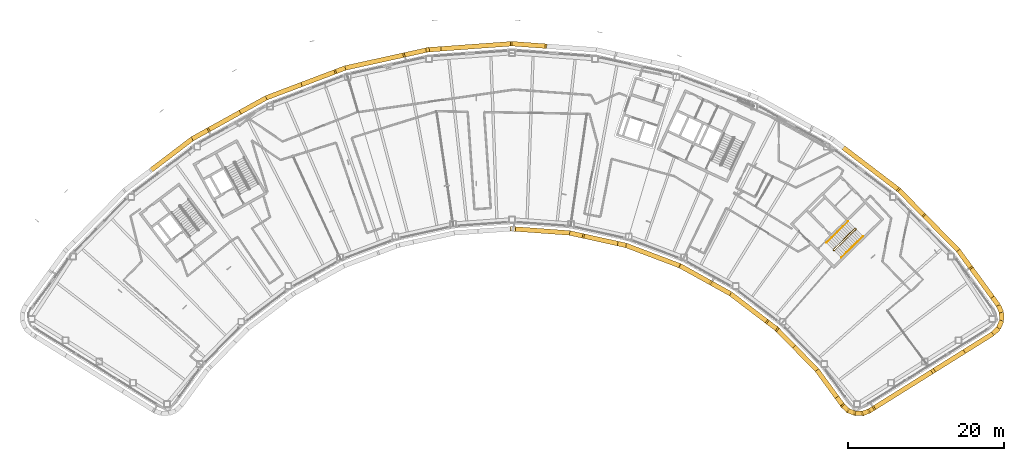
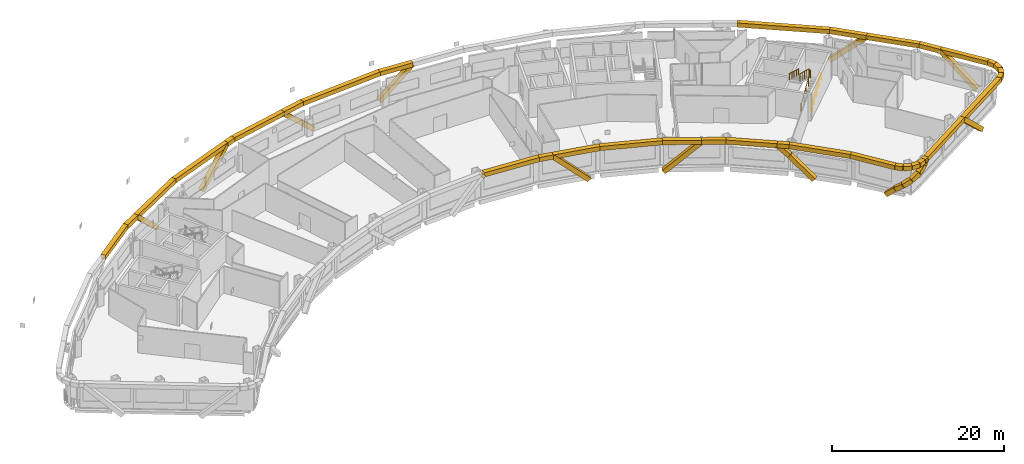
# One storey, part 19 of 21: 54 coverings, 3 railings.
"""IFC4 building model written with IfcOpenShell, lengths in metres."""

from ifc_helpers import new_model, si_unit, direction, frame, origin, origin_2d, place, context, subcontext, project, spatial, rectangle, circle, extrude, material, material_profile, profile_set, type_object, element, save


model = new_model("IFC4")

# Units and contexts
model_context = context("Model", 3, precision=1e-05, world=origin(), true_north=direction((0.0, 1.0)))
body_context = subcontext(model_context, "Body", "Model", "MODEL_VIEW")
ifc_project = project(units=[si_unit("LENGTHUNIT", "METRE"), si_unit("AREAUNIT", "SQUARE_METRE"), si_unit("VOLUMEUNIT", "CUBIC_METRE"), si_unit("PLANEANGLEUNIT", "RADIAN"), si_unit("MASSUNIT", "GRAM", prefix="KILO")], contexts=[model_context])

# Site, building, storey
site_placement = place(None, origin())
site = spatial("IfcSite", under=ifc_project, at=site_placement, CompositionType="ELEMENT")
building_placement = place(site_placement, origin())
building = spatial("IfcBuilding", under=site, at=building_placement, Name="Tuul Gate Civic Tower", CompositionType="ELEMENT")
storey_placement = place(building_placement, frame((0.0, 0.0, 311.0)))
storey = spatial("IfcBuildingStorey", under=building, at=storey_placement, Name="Level 70", CompositionType="ELEMENT", Elevation=311.0)

# Railings
ifc_material_1 = material(Name="Painted steel", Category="steel")
railing_type_1 = type_object("IfcRailingType", Name="Stair guard", PredefinedType="GUARDRAIL", material=ifc_material_1)
railing_1_placement = place(storey_placement, frame((48.10546875, -16.134765625, 0.0)))
element("IfcRailing", 1, at=railing_1_placement, inside=storey, type_object=railing_type_1, Name="Level 70 ST-3 stair guard 1", PredefinedType="GUARDRAIL", context=body_context, shape_type="SweptSolid", body=[
    extrude(circle(Radius=0.02392578125, at=origin_2d()), frame((0.0, 0.0, 1.076171875), z_axis=(-0.698506948293, 0.715603272202, 0.0), x_axis=(-0.715603272202, -0.698506948293, 0.0)), (0.0, 0.0, 1.0), 0.099853515625),
    extrude(circle(Radius=0.02392578125, at=origin_2d()), frame((-0.06982421875, 0.071533203125, 1.076171875), z_axis=(0.645446321009, -0.331687692741, 0.688027849131), x_axis=(0.457068866502, 0.889431307788, 0.0)), (0.0, 0.0, 1.0), 0.2177734375),
    extrude(circle(Radius=0.02392578125, at=origin_2d()), frame((0.07080078125, -0.000732421875, 1.22607421875), z_axis=(0.638715268259, 0.626117886127, 0.447235059857), x_axis=(-0.700029477518, 0.714113947914, 0.0)), (0.0, 0.0, 1.0), 4.360595703125),
    extrude(circle(Radius=0.02392578125, at=origin_2d()), frame((2.85595703125, 2.7294921875, 3.17626953125), z_axis=(0.010380063588, 0.999946125689, 0.0), x_axis=(-0.999946125689, 0.010380063588, 0.0)), (0.0, 0.0, 1.0), 0.070556640625),
    extrude(circle(Radius=0.02392578125, at=origin_2d()), frame((2.856689453125, 2.800048828125, 3.17626953125), z_axis=(-0.699754442181, 0.714383454909, 0.0), x_axis=(-0.714383454909, -0.699754442181, 0.0)), (0.0, 0.0, 1.0), 0.10009765625),
    extrude(circle(Radius=0.02392578125, at=origin_2d()), frame((2.78662109375, 2.87158203125, 3.17626953125), z_axis=(-0.427069033481, 0.004417955519, 0.904208229508), x_axis=(-0.010344274102, -0.999946496565, 0.0)), (0.0, 0.0, 1.0), 0.165771484375),
    extrude(circle(Radius=0.02392578125, at=origin_2d()), frame((2.7158203125, 2.872314453125, 3.326171875), z_axis=(-0.638731261263, -0.626133563701, 0.447190268558), x_axis=(0.700029477518, -0.714113947914, 0.0)), (0.0, 0.0, 1.0), 4.3603515625),
    extrude(circle(Radius=0.02099609375, at=origin_2d()), origin(), (0.0, 0.0, 1.0), 1.052001953125),
    extrude(circle(Radius=0.02099609375, at=origin_2d()), frame((-0.06982421875, 0.071533203125, 0.0)), (0.0, 0.0, 1.0), 1.052001953125),
    extrude(circle(Radius=0.02099609375, at=origin_2d()), frame((0.07080078125, -0.000732421875, 0.14990234375)), (0.0, 0.0, 1.0), 1.052001953125),
    extrude(circle(Radius=0.02099609375, at=origin_2d()), frame((0.76708984375, 0.681884765625, 0.637451171875)), (0.0, 0.0, 1.0), 1.052001953125),
    extrude(circle(Radius=0.02099609375, at=origin_2d()), frame((1.46337890625, 1.3642578125, 1.125)), (0.0, 0.0, 1.0), 1.052001953125),
    extrude(circle(Radius=0.02099609375, at=origin_2d()), frame((2.15966796875, 2.046875, 1.612548828125)), (0.0, 0.0, 1.0), 1.052001953125),
    extrude(circle(Radius=0.02099609375, at=origin_2d()), frame((2.85595703125, 2.7294921875, 2.10009765625)), (0.0, 0.0, 1.0), 1.052001953125),
    extrude(circle(Radius=0.02099609375, at=origin_2d()), frame((2.856689453125, 2.800048828125, 2.10009765625)), (0.0, 0.0, 1.0), 1.052001953125),
    extrude(circle(Radius=0.02099609375, at=origin_2d()), frame((2.78662109375, 2.87158203125, 2.10009765625)), (0.0, 0.0, 1.0), 1.052001953125),
    extrude(circle(Radius=0.02099609375, at=origin_2d()), frame((2.7158203125, 2.872314453125, 2.25)), (0.0, 0.0, 1.0), 1.052001953125),
    extrude(circle(Radius=0.02099609375, at=origin_2d()), frame((2.01953125, 2.189697265625, 2.737548828125)), (0.0, 0.0, 1.0), 1.052001953125),
    extrude(circle(Radius=0.02099609375, at=origin_2d()), frame((1.3232421875, 1.50732421875, 3.22509765625)), (0.0, 0.0, 1.0), 1.052001953125),
    extrude(circle(Radius=0.02099609375, at=origin_2d()), frame((0.626953125, 0.82470703125, 3.71240234375)), (0.0, 0.0, 1.0), 1.052001953125),
    extrude(circle(Radius=0.02099609375, at=origin_2d()), frame((-0.0693359375, 0.14208984375, 4.199951171875)), (0.0, 0.0, 1.0), 1.052001953125),
])
ifc_material_2 = material(Name="Painted steel", Category="steel")
railing_type_2 = type_object("IfcRailingType", Name="Stair handrail", PredefinedType="HANDRAIL", material=ifc_material_2)
railing_2_placement = place(storey_placement, frame((49.05126953125, -17.028076171875, 0.14990234375)))
element("IfcRailing", 2, at=railing_2_placement, inside=storey, type_object=railing_type_2, Name="Level 70 ST-3 stair handrail 1", PredefinedType="HANDRAIL", context=body_context, shape_type="SweptSolid", body=[
    extrude(circle(Radius=0.02392578125, at=origin_2d()), frame((0.0, 0.0, 0.8759765625), z_axis=(0.638737658801, 0.626083844733, 0.447250737947), x_axis=(-0.699997553204, 0.714145241186, 0.0)), (0.0, 0.0, 1.0), 4.3603515625),
    extrude(circle(Radius=0.02099609375, at=origin_2d()), origin(), (0.0, 0.0, 1.0), 0.851806640625),
    extrude(circle(Radius=0.02099609375, at=origin_2d()), frame((0.6962890625, 0.6826171875, 0.487548828125)), (0.0, 0.0, 1.0), 0.851806640625),
    extrude(circle(Radius=0.02099609375, at=origin_2d()), frame((1.392578125, 1.364990234375, 0.97509765625)), (0.0, 0.0, 1.0), 0.851806640625),
    extrude(circle(Radius=0.02099609375, at=origin_2d()), frame((2.0888671875, 2.04736328125, 1.462646484375)), (0.0, 0.0, 1.0), 0.851806640625),
    extrude(circle(Radius=0.02099609375, at=origin_2d()), frame((2.78515625, 2.72998046875, 1.9501953125)), (0.0, 0.0, 1.0), 0.851806640625),
])
railing_3_placement = place(storey_placement, frame((49.9462890625, -12.369873046875, 2.25)))
element("IfcRailing", 3, at=railing_3_placement, inside=storey, type_object=railing_type_2, Name="Level 70 ST-3 stair handrail 2", PredefinedType="HANDRAIL", context=body_context, shape_type="SweptSolid", body=[
    extrude(circle(Radius=0.02392578125, at=origin_2d()), frame((0.0, 0.0, 0.8759765625), z_axis=(-0.638753653487, -0.626099522554, 0.447205945863), x_axis=(0.699997553204, -0.714145241186, 0.0)), (0.0, 0.0, 1.0), 4.3603515625),
    extrude(circle(Radius=0.02099609375, at=origin_2d()), origin(), (0.0, 0.0, 1.0), 0.851806640625),
    extrude(circle(Radius=0.02099609375, at=origin_2d()), frame((-0.6962890625, -0.6826171875, 0.487548828125)), (0.0, 0.0, 1.0), 0.851806640625),
    extrude(circle(Radius=0.02099609375, at=origin_2d()), frame((-1.392578125, -1.364990234375, 0.97509765625)), (0.0, 0.0, 1.0), 0.851806640625),
    extrude(circle(Radius=0.02099609375, at=origin_2d()), frame((-2.0888671875, -2.04736328125, 1.46240234375)), (0.0, 0.0, 1.0), 0.851806640625),
    extrude(circle(Radius=0.02099609375, at=origin_2d()), frame((-2.78515625, -2.72998046875, 1.949951171875)), (0.0, 0.0, 1.0), 0.851806640625),
])

# Coverings
ifc_material_3 = material(Name="Terracotta baguette", Category="masonry")
ifc_material_profile = material_profile(ifc_material_3, rectangle(XDim=0.60009765625, YDim=0.60009765625, at=origin_2d()), Name="Terracotta baguette screen frame")
ifc_profile_set = profile_set([ifc_material_profile], Name="Terracotta baguette")
covering_type = type_object("IfcCoveringType", Name="Terracotta baguette screen frame", PredefinedType="CLADDING", material=ifc_profile_set)
covering_1_placement = place(storey_placement, frame((64.689208984375, -29.19384765625, -0.35009765625), z_axis=(-0.621675477955, -0.388408795181, 0.680189832278), x_axis=(0.529863185224, -0.848083135633, 0.0)))
element("IfcCovering", 4, at=covering_1_placement, inside=storey, type_object=covering_type, Name="Baguette 10", PredefinedType="CLADDING", context=body_context, shape_type="SweptSolid", body=[
    extrude(rectangle(XDim=0.60009765625, YDim=0.60009765625, at=origin_2d()), origin(), (0.0, 0.0, 1.0), 6.175048828125),
])
covering_2_placement = place(storey_placement, frame((68.348388671875, -21.952880859375, -0.35009765625), z_axis=(-0.433822985938, 0.593946829513, 0.677513675569), x_axis=(-0.807530403609, -0.589825946569, 0.0)))
element("IfcCovering", 5, at=covering_2_placement, inside=storey, type_object=covering_type, Name="Baguette 20", PredefinedType="CLADDING", context=body_context, shape_type="SweptSolid", body=[
    extrude(rectangle(XDim=0.60009765625, YDim=0.60009765625, at=origin_2d()), origin(), (0.0, 0.0, 1.0), 6.199462890625),
])
covering_3_placement = place(storey_placement, frame((65.658935546875, -18.270751953125, 3.85009765625), z_axis=(-0.589811087121, 0.807541256846, 0.0), x_axis=(-0.807541256846, -0.589811087121, 0.0)))
element("IfcCovering", 6, at=covering_3_placement, inside=storey, type_object=covering_type, Name="Baguette 25", PredefinedType="CLADDING", context=body_context, shape_type="SweptSolid", body=[
    extrude(rectangle(XDim=0.60009765625, YDim=0.60009765625, at=origin_2d()), origin(), (0.0, 0.0, 1.0), 2.680908203125),
])
covering_4_placement = place(storey_placement, frame((64.07763671875, -16.105712890625, 3.85009765625), z_axis=(-0.700058453541, 0.714085542232, 0.0), x_axis=(-0.714085542232, -0.700058453541, 0.0)))
element("IfcCovering", 7, at=covering_4_placement, inside=storey, type_object=covering_type, Name="Baguette 26", PredefinedType="CLADDING", context=body_context, shape_type="SweptSolid", body=[
    extrude(rectangle(XDim=0.60009765625, YDim=0.60009765625, at=origin_2d()), origin(), (0.0, 0.0, 1.0), 6.405029296875),
])
covering_5_placement = place(storey_placement, frame((59.59375, -11.531982421875, 3.85009765625), z_axis=(-0.513639903286, 0.523995708977, -0.679413384271), x_axis=(-0.714128280474, -0.70001485629, 0.0)))
element("IfcCovering", 8, at=covering_5_placement, inside=storey, type_object=covering_type, Name="Baguette 29", PredefinedType="CLADDING", context=body_context, shape_type="SweptSolid", body=[
    extrude(rectangle(XDim=0.60009765625, YDim=0.60009765625, at=origin_2d()), origin(), (0.0, 0.0, 1.0), 6.058837890625),
])
covering_6_placement = place(storey_placement, frame((11.044189453125, 10.126708984375, 3.85009765625), z_axis=(-0.731862853148, 0.053022588397, -0.679386023776), x_axis=(-0.072259413527, -0.997385871745, 0.0)))
element("IfcCovering", 9, at=covering_6_placement, inside=storey, type_object=covering_type, Name="Baguette 71", PredefinedType="CLADDING", context=body_context, shape_type="SweptSolid", body=[
    extrude(rectangle(XDim=0.60009765625, YDim=0.60009765625, at=origin_2d()), origin(), (0.0, 0.0, 1.0), 5.8154296875),
])
covering_7_placement = place(storey_placement, frame((-2.529052734375, 9.760009765625, -0.35009765625), z_axis=(-0.731859007016, -0.052936931095, 0.679396846604), x_axis=(0.072143664594, -0.997394250865, 0.0)))
element("IfcCovering", 10, at=covering_7_placement, inside=storey, type_object=covering_type, Name="Baguette 85", PredefinedType="CLADDING", context=body_context, shape_type="SweptSolid", body=[
    extrude(rectangle(XDim=0.60009765625, YDim=0.60009765625, at=origin_2d()), origin(), (0.0, 0.0, 1.0), 2.056884765625),
])
covering_8_placement = place(storey_placement, frame((-4.034423828125, 9.651123046875, 1.04736328125), z_axis=(-0.716572290363, -0.157896834381, 0.679406168927), x_axis=(0.215187960952, -0.976572650376, 0.0)))
element("IfcCovering", 11, at=covering_8_placement, inside=storey, type_object=covering_type, Name="Baguette 86", PredefinedType="CLADDING", context=body_context, shape_type="SweptSolid", body=[
    extrude(rectangle(XDim=0.60009765625, YDim=0.60009765625, at=origin_2d()), origin(), (0.0, 0.0, 1.0), 4.125244140625),
])
covering_9_placement = place(storey_placement, frame((-6.990478515625, 8.999755859375, 3.85009765625), z_axis=(-0.976562944913, -0.215232001854, 0.0), x_axis=(0.215232001854, -0.976562944913, 0.0)))
element("IfcCovering", 12, at=covering_9_placement, inside=storey, type_object=covering_type, Name="Baguette 91", PredefinedType="CLADDING", context=body_context, shape_type="SweptSolid", body=[
    extrude(rectangle(XDim=0.60009765625, YDim=0.60009765625, at=origin_2d()), origin(), (0.0, 0.0, 1.0), 7.824462890625),
])
covering_10_placement = place(storey_placement, frame((-14.631591796875, 7.315673828125, 3.85009765625), z_axis=(-0.935352745891, -0.353716328084, 0.0), x_axis=(0.353716328084, -0.935352745891, 0.0)))
element("IfcCovering", 13, at=covering_10_placement, inside=storey, type_object=covering_type, Name="Baguette 92", PredefinedType="CLADDING", context=body_context, shape_type="SweptSolid", body=[
    extrude(rectangle(XDim=0.60009765625, YDim=0.60009765625, at=origin_2d()), origin(), (0.0, 0.0, 1.0), 1.247802734375),
])
for number, where, z_axis, x_axis, name in (
    (14, (-15.798828125, 6.874267578125, 3.85009765625), (-0.686315966915, -0.259575053256, -0.679405023005), (0.353758489664, -0.935336800832, 0.0), "Baguette 94"),
    (15, (-28.284423828125, 1.535400390625, -0.35009765625), (-0.641767447324, -0.355734488062, 0.679402323781), (0.484806475071, -0.874621450531, 0.0), "Baguette 104"),
):
    element("IfcCovering", number, at=place(storey_placement, frame(where, z_axis=z_axis, x_axis=x_axis)), inside=storey, type_object=covering_type, Name=name, PredefinedType="CLADDING", context=body_context, shape_type="SweptSolid", body=[
        extrude(rectangle(XDim=0.60009765625, YDim=0.60009765625, at=origin_2d()), origin(), (0.0, 0.0, 1.0), 6.18212890625),
    ])
covering_11_placement = place(storey_placement, frame((-32.251953125, -0.663818359375, 3.85009765625), z_axis=(-0.874660372836, -0.48473625013, 0.0), x_axis=(0.48473625013, -0.874660372836, 0.0)))
element("IfcCovering", 16, at=covering_11_placement, inside=storey, type_object=covering_type, Name="Baguette 109", PredefinedType="CLADDING", context=body_context, shape_type="SweptSolid", body=[
    extrude(rectangle(XDim=0.60009765625, YDim=0.60009765625, at=origin_2d()), origin(), (0.0, 0.0, 1.0), 2.309814453125),
])
covering_12_placement = place(storey_placement, frame((-34.272216796875, -1.783447265625, 3.85009765625), z_axis=(-0.795603234686, -0.605818036177, 0.0), x_axis=(0.605818036177, -0.795603234686, 0.0)))
element("IfcCovering", 17, at=covering_12_placement, inside=storey, type_object=covering_type, Name="Baguette 110", PredefinedType="CLADDING", context=body_context, shape_type="SweptSolid", body=[
    extrude(rectangle(XDim=0.60009765625, YDim=0.60009765625, at=origin_2d()), origin(), (0.0, 0.0, 1.0), 6.7626953125),
])
covering_13_placement = place(storey_placement, frame((6.7880859375, -13.326904296875, 3.6005859375), z_axis=(0.723104762841, -0.052564931502, 0.688735384551), x_axis=(0.072502073076, 0.997368261677, 0.0)))
element("IfcCovering", 18, at=covering_13_placement, inside=storey, type_object=covering_type, Name="Baguette 219", PredefinedType="CLADDING", context=body_context, shape_type="SweptSolid", body=[
    extrude(rectangle(XDim=0.60009765625, YDim=0.60009765625, at=origin_2d()), origin(), (0.0, 0.0, 1.0), 0.3623046875),
])
covering_14_placement = place(storey_placement, frame((7.050048828125, -13.345947265625, 3.85009765625), z_axis=(0.997385259367, -0.072267865599, 0.0), x_axis=(0.072267865599, 0.997385259367, 0.0)))
element("IfcCovering", 19, at=covering_14_placement, inside=storey, type_object=covering_type, Name="Baguette 224", PredefinedType="CLADDING", context=body_context, shape_type="SweptSolid", body=[
    extrude(rectangle(XDim=0.60009765625, YDim=0.60009765625, at=origin_2d()), origin(), (0.0, 0.0, 1.0), 7.1552734375),
])
covering_15_placement = place(storey_placement, frame((14.1865234375, -13.863037109375, 3.85009765625), z_axis=(0.976558033937, -0.215254283007, 0.0), x_axis=(0.215254283007, 0.976558033937, 0.0)))
element("IfcCovering", 20, at=covering_15_placement, inside=storey, type_object=covering_type, Name="Baguette 225", PredefinedType="CLADDING", context=body_context, shape_type="SweptSolid", body=[
    extrude(rectangle(XDim=0.60009765625, YDim=0.60009765625, at=origin_2d()), origin(), (0.0, 0.0, 1.0), 1.69677734375),
])
for number, where, z_axis, x_axis, name in (
    (21, (15.843505859375, -14.228271484375, 3.85009765625), (0.708366966327, -0.156125615827, -0.688361121142), (0.215236378617, 0.976561980276, 0.0), "Baguette 227"),
    (22, (28.490478515625, -18.150634765625, -0.35009765625), (0.63442432806, -0.351662173267, 0.688359998735), (0.484804374507, 0.87462261488, 0.0), "Baguette 239"),
):
    element("IfcCovering", number, at=place(storey_placement, frame(where, z_axis=z_axis, x_axis=x_axis)), inside=storey, type_object=covering_type, Name=name, PredefinedType="CLADDING", context=body_context, shape_type="SweptSolid", body=[
        extrude(rectangle(XDim=0.60009765625, YDim=0.60009765625, at=origin_2d()), origin(), (0.0, 0.0, 1.0), 6.101806640625),
    ])
covering_16_placement = place(storey_placement, frame((32.361572265625, -20.29638671875, 3.85009765625), z_axis=(0.874604932638, -0.484836273195, 0.0), x_axis=(0.484836273195, 0.874604932638, 0.0)))
element("IfcCovering", 23, at=covering_16_placement, inside=storey, type_object=covering_type, Name="Baguette 244", PredefinedType="CLADDING", context=body_context, shape_type="SweptSolid", body=[
    extrude(rectangle(XDim=0.60009765625, YDim=0.60009765625, at=origin_2d()), origin(), (0.0, 0.0, 1.0), 2.85302734375),
])
covering_17_placement = place(storey_placement, frame((34.85693359375, -21.6796875, 3.85009765625), z_axis=(0.795563429455, -0.605870307668, 0.0), x_axis=(0.605870307668, 0.795563429455, 0.0)))
element("IfcCovering", 24, at=covering_17_placement, inside=storey, type_object=covering_type, Name="Baguette 245", PredefinedType="CLADDING", context=body_context, shape_type="SweptSolid", body=[
    extrude(rectangle(XDim=0.60009765625, YDim=0.60009765625, at=origin_2d()), origin(), (0.0, 0.0, 1.0), 5.998779296875),
])
covering_18_placement = place(storey_placement, frame((39.62939453125, -25.314208984375, 3.85009765625), z_axis=(0.57707618675, -0.439421551372, -0.6883979771), x_axis=(0.605820279821, 0.795601526241, 0.0)))
element("IfcCovering", 25, at=covering_18_placement, inside=storey, type_object=covering_type, Name="Baguette 248", PredefinedType="CLADDING", context=body_context, shape_type="SweptSolid", body=[
    extrude(rectangle(XDim=0.60009765625, YDim=0.60009765625, at=origin_2d()), origin(), (0.0, 0.0, 1.0), 1.956298828125),
])
covering_19_placement = place(storey_placement, frame((40.75830078125, -26.173828125, 2.50341796875), z_axis=(0.507791593408, -0.517980406405, -0.688363273457), x_axis=(0.714095122772, 0.700048680903, 0.0)))
element("IfcCovering", 26, at=covering_19_placement, inside=storey, type_object=covering_type, Name="Baguette 249", PredefinedType="CLADDING", context=body_context, shape_type="SweptSolid", body=[
    extrude(rectangle(XDim=0.60009765625, YDim=0.60009765625, at=origin_2d()), origin(), (0.0, 0.0, 1.0), 4.145263671875),
])
covering_20_placement = place(storey_placement, frame((48.61669921875, -35.119873046875, -0.35009765625), z_axis=(0.431242470449, -0.59057765971, 0.682090873368), x_axis=(0.807608329119, 0.589719243995, 0.0)))
element("IfcCovering", 27, at=covering_20_placement, inside=storey, type_object=covering_type, Name="Baguette 276", PredefinedType="CLADDING", context=body_context, shape_type="SweptSolid", body=[
    extrude(rectangle(XDim=0.60009765625, YDim=0.60009765625, at=origin_2d()), origin(), (0.0, 0.0, 1.0), 1.57666015625),
])
covering_21_placement = place(storey_placement, frame((49.296630859375, -36.051025390625, 0.725341796875), z_axis=(0.59353051047, -0.556724125305, 0.581188249576), x_axis=(0.684130296537, 0.729359813371, 0.0)))
element("IfcCovering", 28, at=covering_21_placement, inside=storey, type_object=covering_type, Name="Baguette 277", PredefinedType="CLADDING", context=body_context, shape_type="SweptSolid", body=[
    extrude(rectangle(XDim=0.60009765625, YDim=0.60009765625, at=origin_2d()), origin(), (0.0, 0.0, 1.0), 1.107666015625),
])
covering_22_placement = place(storey_placement, frame((49.9541015625, -36.667724609375, 1.369140625), z_axis=(0.775277708396, -0.3071855071, 0.551889064117), x_axis=(0.368364368109, 0.929681500465, 0.0)))
element("IfcCovering", 29, at=covering_22_placement, inside=storey, type_object=covering_type, Name="Baguette 278", PredefinedType="CLADDING", context=body_context, shape_type="SweptSolid", body=[
    extrude(rectangle(XDim=0.60009765625, YDim=0.60009765625, at=origin_2d()), origin(), (0.0, 0.0, 1.0), 1.168212890625),
])
covering_23_placement = place(storey_placement, frame((50.85986328125, -37.026611328125, 2.013916015625), z_axis=(0.833653804928, -0.002301177379, 0.552282570893), x_axis=(0.002760340801, 0.999996190252, 0.0)))
element("IfcCovering", 30, at=covering_23_placement, inside=storey, type_object=covering_type, Name="Baguette 279", PredefinedType="CLADDING", context=body_context, shape_type="SweptSolid", body=[
    extrude(rectangle(XDim=0.60009765625, YDim=0.60009765625, at=origin_2d()), origin(), (0.0, 0.0, 1.0), 1.1669921875),
])
covering_24_placement = place(storey_placement, frame((51.832763671875, -37.029296875, 2.658447265625), z_axis=(0.758091085088, 0.295082547364, 0.581570457426), x_axis=(-0.362733847194, 0.93189278144, 0.0)))
element("IfcCovering", 31, at=covering_24_placement, inside=storey, type_object=covering_type, Name="Baguette 280", PredefinedType="CLADDING", context=body_context, shape_type="SweptSolid", body=[
    extrude(rectangle(XDim=0.60009765625, YDim=0.60009765625, at=origin_2d()), origin(), (0.0, 0.0, 1.0), 1.10791015625),
])
covering_25_placement = place(storey_placement, frame((52.672607421875, -36.702392578125, 3.302734375), z_axis=(0.621669803131, 0.38835400098, 0.680226304841), x_axis=(-0.52981289744, 0.848114552231, 0.0)))
element("IfcCovering", 32, at=covering_25_placement, inside=storey, type_object=covering_type, Name="Baguette 281", PredefinedType="CLADDING", context=body_context, shape_type="SweptSolid", body=[
    extrude(rectangle(XDim=0.60009765625, YDim=0.60009765625, at=origin_2d()), origin(), (0.0, 0.0, 1.0), 0.8046875),
])
covering_26_placement = place(storey_placement, frame((53.1728515625, -36.389892578125, 3.85009765625), z_axis=(0.848039206863, 0.52993348981, 0.0), x_axis=(-0.52993348981, 0.848039206863, 0.0)))
element("IfcCovering", 33, at=covering_26_placement, inside=storey, type_object=covering_type, Name="Baguette 284", PredefinedType="CLADDING", context=body_context, shape_type="SweptSolid", body=[
    extrude(rectangle(XDim=0.60009765625, YDim=0.60009765625, at=origin_2d()), origin(), (0.0, 0.0, 1.0), 9.05322265625),
])
covering_27_placement = place(storey_placement, frame((59.59375, -11.531982421875, 3.85009765625), z_axis=(-0.70001485629, 0.714128280474, 0.0), x_axis=(-0.714128280474, -0.70001485629, 0.0)))
element("IfcCovering", 34, at=covering_27_placement, inside=storey, type_object=covering_type, Name="Baguette 410", PredefinedType="CLADDING", context=body_context, shape_type="SweptSolid", body=[
    extrude(rectangle(XDim=0.60009765625, YDim=0.60009765625, at=origin_2d()), origin(), (0.0, 0.0, 1.0), 4.44580078125),
])
covering_28_placement = place(storey_placement, frame((56.481689453125, -8.357177734375, 3.85009765625), z_axis=(-0.795618643442, 0.605797799771, 0.0), x_axis=(-0.605797799771, -0.795618643442, 0.0)))
element("IfcCovering", 35, at=covering_28_placement, inside=storey, type_object=covering_type, Name="Baguette 411", PredefinedType="CLADDING", context=body_context, shape_type="SweptSolid", body=[
    extrude(rectangle(XDim=0.60009765625, YDim=0.60009765625, at=origin_2d()), origin(), (0.0, 0.0, 1.0), 10.851318359375),
])
covering_29_placement = place(storey_placement, frame((11.044189453125, 10.126708984375, 3.85009765625), z_axis=(-0.997385871745, 0.072259413527, 0.0), x_axis=(-0.072259413527, -0.997385871745, 0.0)))
element("IfcCovering", 36, at=covering_29_placement, inside=storey, type_object=covering_type, Name="Baguette 415", PredefinedType="CLADDING", context=body_context, shape_type="SweptSolid", body=[
    extrude(rectangle(XDim=0.60009765625, YDim=0.60009765625, at=origin_2d()), origin(), (0.0, 0.0, 1.0), 4.267333984375),
])
covering_30_placement = place(storey_placement, frame((6.7880859375, 10.43505859375, 3.85009765625), z_axis=(-0.997386817082, -0.072246363998, 0.0), x_axis=(0.072246363998, -0.997386817082, 0.0)))
element("IfcCovering", 37, at=covering_30_placement, inside=storey, type_object=covering_type, Name="Baguette 416", PredefinedType="CLADDING", context=body_context, shape_type="SweptSolid", body=[
    extrude(rectangle(XDim=0.60009765625, YDim=0.60009765625, at=origin_2d()), origin(), (0.0, 0.0, 1.0), 10.850830078125),
])
covering_31_placement = place(storey_placement, frame((-4.034423828125, 9.651123046875, 3.85009765625), z_axis=(-0.976572650376, -0.215187960952, 0.0), x_axis=(0.215187960952, -0.976572650376, 0.0)))
element("IfcCovering", 38, at=covering_31_placement, inside=storey, type_object=covering_type, Name="Baguette 417", PredefinedType="CLADDING", context=body_context, shape_type="SweptSolid", body=[
    extrude(rectangle(XDim=0.60009765625, YDim=0.60009765625, at=origin_2d()), origin(), (0.0, 0.0, 1.0), 3.02685546875),
])
covering_32_placement = place(storey_placement, frame((-15.798828125, 6.874267578125, 3.85009765625), z_axis=(-0.935344466334, -0.353738221428, 0.0), x_axis=(0.353738221428, -0.935344466334, 0.0)))
element("IfcCovering", 39, at=covering_32_placement, inside=storey, type_object=covering_type, Name="Baguette 418", PredefinedType="CLADDING", context=body_context, shape_type="SweptSolid", body=[
    extrude(rectangle(XDim=0.60009765625, YDim=0.60009765625, at=origin_2d()), origin(), (0.0, 0.0, 1.0), 9.60302734375),
])
covering_33_placement = place(storey_placement, frame((-24.781005859375, 3.477294921875, 3.85009765625), z_axis=(-0.874624691551, -0.484800628021, 0.0), x_axis=(0.484800628021, -0.874624691551, 0.0)))
element("IfcCovering", 40, at=covering_33_placement, inside=storey, type_object=covering_type, Name="Baguette 419", PredefinedType="CLADDING", context=body_context, shape_type="SweptSolid", body=[
    extrude(rectangle(XDim=0.60009765625, YDim=0.60009765625, at=origin_2d()), origin(), (0.0, 0.0, 1.0), 8.5419921875),
])
covering_34_placement = place(storey_placement, frame((15.843505859375, -14.228271484375, 3.85009765625), z_axis=(0.97655913888, -0.21524927008, 0.0), x_axis=(0.21524927008, 0.97655913888, 0.0)))
element("IfcCovering", 41, at=covering_34_placement, inside=storey, type_object=covering_type, Name="Baguette 431", PredefinedType="CLADDING", context=body_context, shape_type="SweptSolid", body=[
    extrude(rectangle(XDim=0.60009765625, YDim=0.60009765625, at=origin_2d()), origin(), (0.0, 0.0, 1.0), 5.720947265625),
])
covering_35_placement = place(storey_placement, frame((21.430419921875, -15.459716796875, 3.85009765625), z_axis=(0.935368082117, -0.353675770951, 0.0), x_axis=(0.353675770951, 0.935368082117, 0.0)))
element("IfcCovering", 42, at=covering_35_placement, inside=storey, type_object=covering_type, Name="Baguette 432", PredefinedType="CLADDING", context=body_context, shape_type="SweptSolid", body=[
    extrude(rectangle(XDim=0.60009765625, YDim=0.60009765625, at=origin_2d()), origin(), (0.0, 0.0, 1.0), 7.41796875),
])
covering_36_placement = place(storey_placement, frame((28.368896484375, -18.083251953125, 3.85009765625), z_axis=(0.874623567378, -0.484802656126, 0.0), x_axis=(0.484802656126, 0.874623567378, 0.0)))
element("IfcCovering", 43, at=covering_36_placement, inside=storey, type_object=covering_type, Name="Baguette 433", PredefinedType="CLADDING", context=body_context, shape_type="SweptSolid", body=[
    extrude(rectangle(XDim=0.60009765625, YDim=0.60009765625, at=origin_2d()), origin(), (0.0, 0.0, 1.0), 4.56494140625),
])
covering_37_placement = place(storey_placement, frame((39.62939453125, -25.314208984375, 3.85009765625), z_axis=(0.795601526241, -0.605820279821, 0.0), x_axis=(0.605820279821, 0.795601526241, 0.0)))
element("IfcCovering", 44, at=covering_37_placement, inside=storey, type_object=covering_type, Name="Baguette 434", PredefinedType="CLADDING", context=body_context, shape_type="SweptSolid", body=[
    extrude(rectangle(XDim=0.60009765625, YDim=0.60009765625, at=origin_2d()), origin(), (0.0, 0.0, 1.0), 1.4189453125),
])
covering_38_placement = place(storey_placement, frame((40.75830078125, -26.173828125, 3.85009765625), z_axis=(0.700045416035, -0.714098323404, 0.0), x_axis=(0.714098323404, 0.700045416035, 0.0)))
element("IfcCovering", 45, at=covering_38_placement, inside=storey, type_object=covering_type, Name="Baguette 435", PredefinedType="CLADDING", context=body_context, shape_type="SweptSolid", body=[
    extrude(rectangle(XDim=0.60009765625, YDim=0.60009765625, at=origin_2d()), origin(), (0.0, 0.0, 1.0), 7.418212890625),
])
covering_39_placement = place(storey_placement, frame((45.951416015625, -31.47119140625, 3.85009765625), z_axis=(0.589834173265, -0.807524394708, 0.0), x_axis=(0.807524394708, 0.589834173265, 0.0)))
element("IfcCovering", 46, at=covering_39_placement, inside=storey, type_object=covering_type, Name="Baguette 436", PredefinedType="CLADDING", context=body_context, shape_type="SweptSolid", body=[
    extrude(rectangle(XDim=0.60009765625, YDim=0.60009765625, at=origin_2d()), origin(), (0.0, 0.0, 1.0), 5.67138671875),
])
covering_40_placement = place(storey_placement, frame((49.296630859375, -36.051025390625, 3.85009765625), z_axis=(0.729359813371, -0.684130296537, 0.0), x_axis=(0.684130296537, 0.729359813371, 0.0)))
element("IfcCovering", 47, at=covering_40_placement, inside=storey, type_object=covering_type, Name="Baguette 437", PredefinedType="CLADDING", context=body_context, shape_type="SweptSolid", body=[
    extrude(rectangle(XDim=0.60009765625, YDim=0.60009765625, at=origin_2d()), origin(), (0.0, 0.0, 1.0), 0.9013671875),
])
covering_41_placement = place(storey_placement, frame((49.9541015625, -36.667724609375, 3.85009765625), z_axis=(0.929681500465, -0.368364368109, 0.0), x_axis=(0.368364368109, 0.929681500465, 0.0)))
element("IfcCovering", 48, at=covering_41_placement, inside=storey, type_object=covering_type, Name="Baguette 438", PredefinedType="CLADDING", context=body_context, shape_type="SweptSolid", body=[
    extrude(rectangle(XDim=0.60009765625, YDim=0.60009765625, at=origin_2d()), origin(), (0.0, 0.0, 1.0), 0.974365234375),
])
covering_42_placement = place(storey_placement, frame((50.85986328125, -37.026611328125, 3.85009765625), z_axis=(0.999996190252, -0.002760340801, 0.0), x_axis=(0.002760340801, 0.999996190252, 0.0)))
element("IfcCovering", 49, at=covering_42_placement, inside=storey, type_object=covering_type, Name="Baguette 439", PredefinedType="CLADDING", context=body_context, shape_type="SweptSolid", body=[
    extrude(rectangle(XDim=0.60009765625, YDim=0.60009765625, at=origin_2d()), origin(), (0.0, 0.0, 1.0), 0.972900390625),
])
covering_43_placement = place(storey_placement, frame((51.832763671875, -37.029296875, 3.85009765625), z_axis=(0.93189278144, 0.362733847194, 0.0), x_axis=(-0.362733847194, 0.93189278144, 0.0)))
element("IfcCovering", 50, at=covering_43_placement, inside=storey, type_object=covering_type, Name="Baguette 440", PredefinedType="CLADDING", context=body_context, shape_type="SweptSolid", body=[
    extrude(rectangle(XDim=0.60009765625, YDim=0.60009765625, at=origin_2d()), origin(), (0.0, 0.0, 1.0), 0.901123046875),
])
covering_44_placement = place(storey_placement, frame((52.672607421875, -36.702392578125, 3.85009765625), z_axis=(0.848114552231, 0.52981289744, 0.0), x_axis=(-0.52981289744, 0.848114552231, 0.0)))
element("IfcCovering", 51, at=covering_44_placement, inside=storey, type_object=covering_type, Name="Baguette 441", PredefinedType="CLADDING", context=body_context, shape_type="SweptSolid", body=[
    extrude(rectangle(XDim=0.60009765625, YDim=0.60009765625, at=origin_2d()), origin(), (0.0, 0.0, 1.0), 0.58984375),
])
covering_45_placement = place(storey_placement, frame((60.850341796875, -31.59228515625, 3.85009765625), z_axis=(0.84807101712, 0.529882581258, 0.0), x_axis=(-0.529882581258, 0.84807101712, 0.0)))
element("IfcCovering", 52, at=covering_45_placement, inside=storey, type_object=covering_type, Name="Baguette 442", PredefinedType="CLADDING", context=body_context, shape_type="SweptSolid", body=[
    extrude(rectangle(XDim=0.60009765625, YDim=0.60009765625, at=origin_2d()), origin(), (0.0, 0.0, 1.0), 9.05322265625),
])
covering_46_placement = place(storey_placement, frame((68.528076171875, -26.795166015625, 3.85009765625), z_axis=(0.722137314744, 0.691749737011, 0.0), x_axis=(-0.691749737011, 0.722137314744, 0.0)))
element("IfcCovering", 53, at=covering_46_placement, inside=storey, type_object=covering_type, Name="Baguette 443", PredefinedType="CLADDING", context=body_context, shape_type="SweptSolid", body=[
    extrude(rectangle(XDim=0.60009765625, YDim=0.60009765625, at=origin_2d()), origin(), (0.0, 0.0, 1.0), 0.98828125),
])
covering_47_placement = place(storey_placement, frame((69.24169921875, -26.111572265625, 3.85009765625), z_axis=(0.385784883999, 0.922588761734, 0.0), x_axis=(-0.922588761734, 0.385784883999, 0.0)))
element("IfcCovering", 54, at=covering_47_placement, inside=storey, type_object=covering_type, Name="Baguette 444", PredefinedType="CLADDING", context=body_context, shape_type="SweptSolid", body=[
    extrude(rectangle(XDim=0.60009765625, YDim=0.60009765625, at=origin_2d()), origin(), (0.0, 0.0, 1.0), 1.06689453125),
])
covering_48_placement = place(storey_placement, frame((69.6533203125, -25.127197265625, 3.85009765625), z_axis=(-0.014637041139, 0.999892872775, 0.0), x_axis=(-0.999892872775, -0.014637041139, 0.0)))
element("IfcCovering", 55, at=covering_48_placement, inside=storey, type_object=covering_type, Name="Baguette 445", PredefinedType="CLADDING", context=body_context, shape_type="SweptSolid", body=[
    extrude(rectangle(XDim=0.60009765625, YDim=0.60009765625, at=origin_2d()), origin(), (0.0, 0.0, 1.0), 1.0673828125),
])
covering_49_placement = place(storey_placement, frame((69.6376953125, -24.059814453125, 3.85009765625), z_axis=(-0.412573349968, 0.910924382644, 0.0), x_axis=(-0.910924382644, -0.412573349968, 0.0)))
element("IfcCovering", 56, at=covering_49_placement, inside=storey, type_object=covering_type, Name="Baguette 446", PredefinedType="CLADDING", context=body_context, shape_type="SweptSolid", body=[
    extrude(rectangle(XDim=0.60009765625, YDim=0.60009765625, at=origin_2d()), origin(), (0.0, 0.0, 1.0), 0.987548828125),
])
covering_50_placement = place(storey_placement, frame((69.230224609375, -23.16015625, 3.85009765625), z_axis=(-0.589829544969, 0.8075277753, 0.0), x_axis=(-0.8075277753, -0.589829544969, 0.0)))
element("IfcCovering", 57, at=covering_50_placement, inside=storey, type_object=covering_type, Name="Baguette 447", PredefinedType="CLADDING", context=body_context, shape_type="SweptSolid", body=[
    extrude(rectangle(XDim=0.60009765625, YDim=0.60009765625, at=origin_2d()), origin(), (0.0, 0.0, 1.0), 6.0546875),
])

save(model, "model.ifc")
